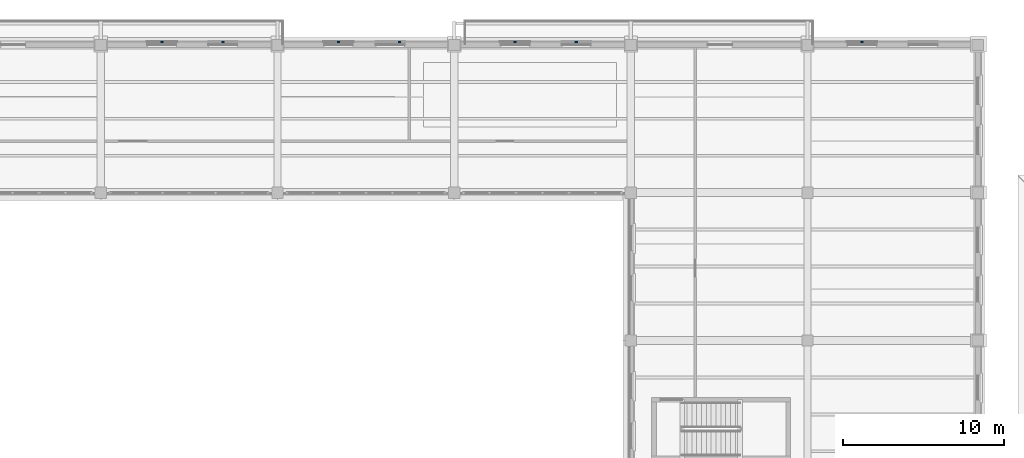
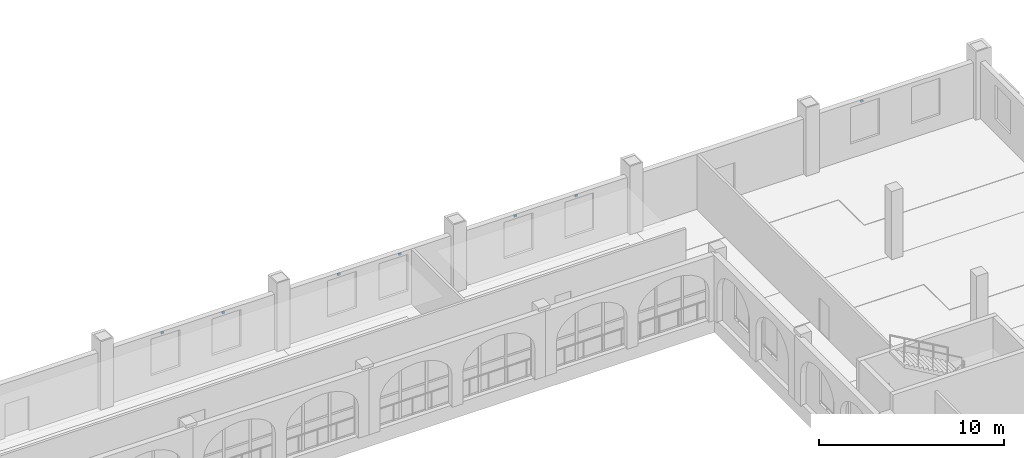
# One storey, part 133 of 156: 7 discrete accessories.
"""IFC4 building model written with IfcOpenShell, lengths in metres."""

from ifc_helpers import new_model, si_unit, direction, frame, origin, origin_2d, place, context, subcontext, project, spatial, rectangle, extrude, material, type_object, element, save


model = new_model("IFC4")

# Units and contexts
model_context = context("Model", 3, precision=1e-05, world=origin(), true_north=direction((0.0, 1.0)))
body_context = subcontext(model_context, "Body", "Model", "MODEL_VIEW")
ifc_project = project(units=[si_unit("LENGTHUNIT", "METRE"), si_unit("AREAUNIT", "SQUARE_METRE"), si_unit("VOLUMEUNIT", "CUBIC_METRE"), si_unit("PLANEANGLEUNIT", "RADIAN"), si_unit("MASSUNIT", "GRAM", prefix="KILO")], contexts=[model_context])

# Site, building, storey
site_placement = place(None, origin())
site = spatial("IfcSite", under=ifc_project, at=site_placement, CompositionType="ELEMENT")
building_placement = place(site_placement, origin())
building = spatial("IfcBuilding", under=site, at=building_placement, Name="Caurita Quay Ferry Terminal", CompositionType="ELEMENT")
storey_placement = place(building_placement, frame((0.0, 0.0, 5.39990234375)))
storey = spatial("IfcBuildingStorey", under=building, at=storey_placement, Name="L01", CompositionType="ELEMENT", Elevation=5.39990234375)

# Discrete accessories
ifc_material = material(Name="Structural plate steel ASTM A572 Gr. 50", Category="steel")
discrete_accessory_type = type_object("IfcDiscreteAccessoryType", Name="ACC-BRK-01", PredefinedType="BRACKET", material=ifc_material)
for number, where, z_axis, x_axis, name in (
    (1, (40.60009765625, 117.169921875, 3.2099609375), (0.0, 0.0, 1.0), (-1.0, 0.0, 0.0), "L01 Sun-Breaker Bracket 005"),
    (2, (36.800048828125, 117.169921875, 3.2099609375), (0.0, 0.0, 1.0), (-1.0, 0.0, 0.0), "L01 Sun-Breaker Bracket 006"),
    (3, (51.60009765625, 117.169921875, 3.2099609375), (0.0, 0.0, 1.0), (-1.0, 0.0, 0.0), "L01 Sun-Breaker Bracket 007"),
    (4, (47.800048828125, 117.169921875, 3.2099609375), (0.0, 0.0, 1.0), (-1.0, 0.0, 0.0), "L01 Sun-Breaker Bracket 008"),
    (5, (62.60009765625, 117.169921875, 3.2099609375), (0.0, 0.0, 1.0), (-1.0, 0.0, 0.0), "L01 Sun-Breaker Bracket 009"),
    (6, (58.800048828125, 117.169921875, 3.2099609375), (0.0, 0.0, 1.0), (-1.0, 0.0, 0.0), "L01 Sun-Breaker Bracket 010"),
    (7, (80.39990234375, 117.169921875, 3.2099609375), (0.0, 0.0, 1.0), (-1.0, 0.0, 0.0), "L01 Sun-Breaker Bracket 012"),
):
    element("IfcDiscreteAccessory", number, at=place(storey_placement, frame(where, z_axis=z_axis, x_axis=x_axis)), inside=storey, type_object=discrete_accessory_type, Name=name, PredefinedType="BRACKET", context=body_context, shape_type="SweptSolid", body=[
        extrude(rectangle(XDim=0.159912109375, YDim=0.10009765625, at=origin_2d()), origin(), (0.0, 0.0, 1.0), 0.1201171875),
    ])

save(model, "model.ifc")
